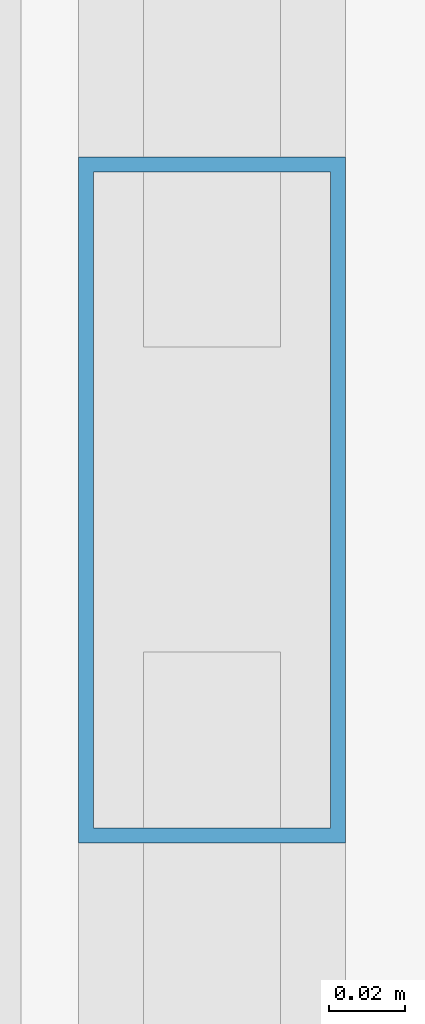
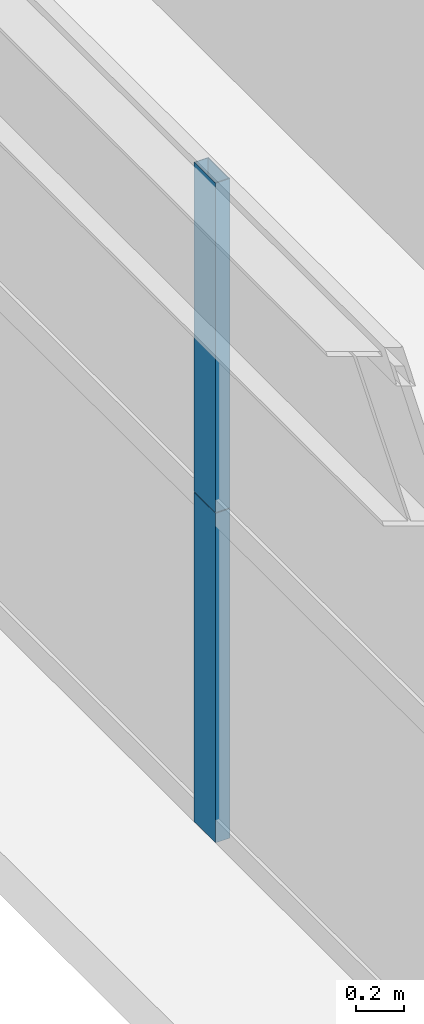
# One storey, part 22 of 43: 2 members, 1 element without a shape of its own.
"""IFC4 building model written with IfcOpenShell, lengths in metres."""

from ifc_helpers import new_model, si_unit, direction, frame, origin, origin_2d, place, context, subcontext, project, spatial, hollow_rectangle, extrude, source, transform, mapped, material, layer, layer_set, material_profile, profile_set, type_object, element, aggregate, save


model = new_model("IFC4")

# Units and contexts
model_context = context("Model", 3, precision=1e-05, world=origin(), true_north=direction((0.0, 1.0)))
body_context = subcontext(model_context, "Body", "Model", "MODEL_VIEW")
ifc_project = project(units=[si_unit("LENGTHUNIT", "METRE"), si_unit("AREAUNIT", "SQUARE_METRE"), si_unit("VOLUMEUNIT", "CUBIC_METRE"), si_unit("PLANEANGLEUNIT", "RADIAN"), si_unit("MASSUNIT", "GRAM", prefix="KILO"), si_unit("THERMODYNAMICTEMPERATUREUNIT", "KELVIN"), si_unit("POWERUNIT", "WATT")], contexts=[model_context])

# Site, building, storey
site_placement = place(None, origin())
site = spatial("IfcSite", under=ifc_project, at=site_placement, CompositionType="ELEMENT")
building_placement = place(site_placement, origin())
building = spatial("IfcBuilding", under=site, at=building_placement, Name="Yuzanri Waterfront Tower", CompositionType="ELEMENT")
storey_placement = place(building_placement, frame((0.0, 0.0, 78.39990234375)))
storey = spatial("IfcBuildingStorey", under=building, at=storey_placement, Name="L20", CompositionType="ELEMENT", Elevation=78.39990234375)

# Curtain wall, members
ifc_material_1 = material(Name="Anodized Architectural Bronze", Category="metal")
ifc_layer = layer(ifc_material_1, 0.159912109375)
ifc_layer_set = layer_set([ifc_layer], Name="Anodized Architectural Bronze")
curtain_wall_type = type_object("IfcCurtainWallType", Name="Anodized Bronze Hotel Lower-Tier Recessed Unitized Curtain Wall 8100", PredefinedType="NOTDEFINED", material=ifc_layer_set)
curtain_wall_placement = place(storey_placement, origin())
curtain_wall = element("IfcCurtainWall", 1, at=curtain_wall_placement, inside=storey, type_object=curtain_wall_type, Name="L20 Curtain Wall CW-L20-WR", PredefinedType="NOTDEFINED")
ifc_material_2 = material(Name="Anodized Architectural Bronze", Category="metal")
ifc_material_profile = material_profile(ifc_material_2, hollow_rectangle(XDim=0.070068359375, YDim=0.179931640625, WallThickness=0.00390625, at=origin_2d()), Name="CWM 70x180")
ifc_profile_set = profile_set([ifc_material_profile], Name="Anodized Architectural Bronze")
member_type = type_object("IfcMemberType", Name="Anodized Bronze Standard Curtain-Wall Mullion 70x180", PredefinedType="MULLION", material=ifc_profile_set)
shared_shape = source(origin(), body_context, "Body", "SweptSolid", [
    extrude(hollow_rectangle(XDim=0.070068359375, YDim=0.179931640625, WallThickness=0.00390625, at=origin_2d()), origin(), (0.0, 0.0, 1.0), 1.68798828125),
])
member_1_placement = place(storey_placement, frame((12.050048828125, 34.89990234375, 0.0), z_axis=(0.0, 0.0, 1.0), x_axis=(1.0, 0.0, 0.0)))
member_1 = element("IfcMember", 2, at=member_1_placement, type_object=member_type, Name="CW-L20-WR Lower Mullion 01", PredefinedType="MULLION", context=body_context, shape_type="MappedRepresentation", body=[
    mapped(shared_shape, transform((0.0, 0.0, 0.0), scale=1.0)),
])
member_2_placement = place(storey_placement, frame((12.050048828125, 34.89990234375, 1.692138671875), z_axis=(0.0, 0.0, 1.0), x_axis=(1.0, 0.0, 0.0)))
member_2 = element("IfcMember", 3, at=member_2_placement, type_object=member_type, Name="CW-L20-WR Upper Mullion 01", PredefinedType="MULLION", context=body_context, shape_type="MappedRepresentation", body=[
    mapped(shared_shape, transform((0.0, 0.0, 0.0), scale=1.0)),
])
aggregate(curtain_wall, [member_1, member_2])

save(model, "model.ifc")
